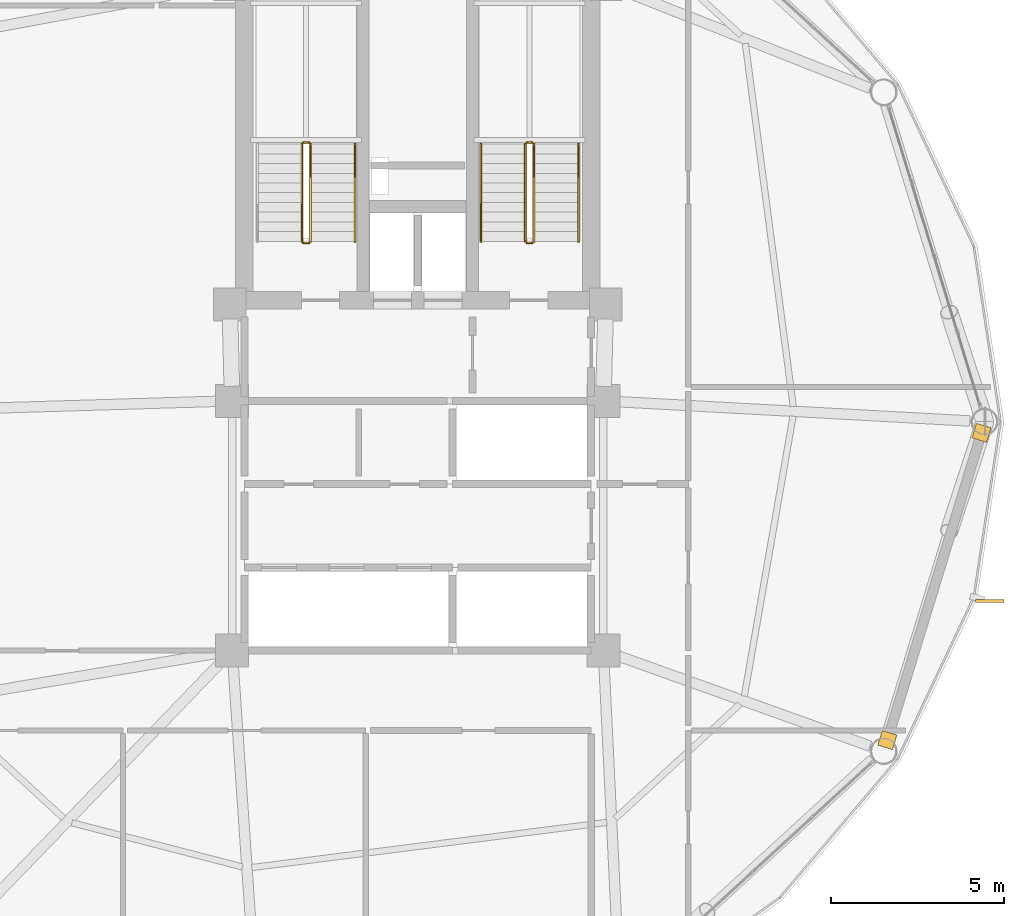
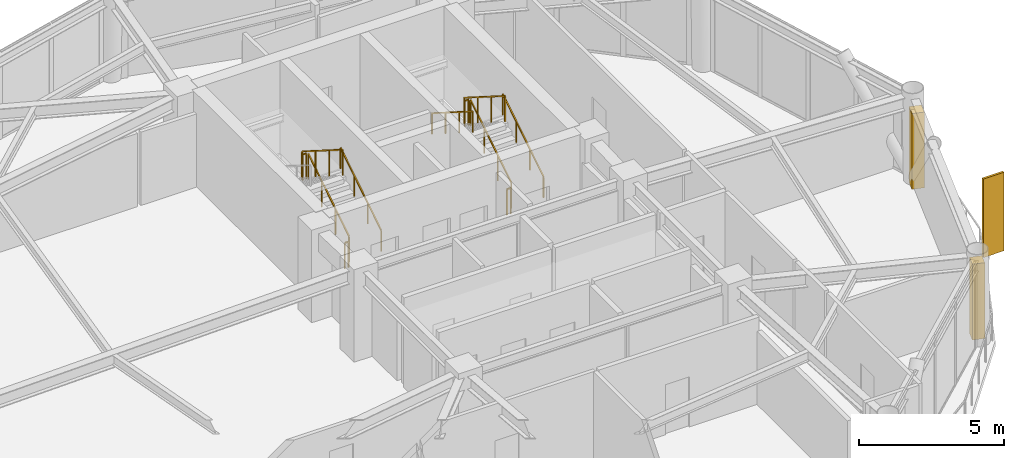
# One storey, part 24 of 25: 11 railings, 2 coverings, 1 shading device.
"""IFC4 building model written with IfcOpenShell, lengths in metres."""

from ifc_helpers import new_model, si_unit, direction, frame, origin, origin_2d, place, context, subcontext, project, spatial, rectangle, extrude, source, transform, mapped, material, layer, layer_set, type_object, type_shapes, element, save


model = new_model("IFC4")

# Units and contexts
model_context = context("Model", 3, precision=1e-05, world=origin(), true_north=direction((0.0, 1.0)))
body_context = subcontext(model_context, "Body", "Model", "MODEL_VIEW")
ifc_project = project(units=[si_unit("LENGTHUNIT", "METRE"), si_unit("AREAUNIT", "SQUARE_METRE"), si_unit("VOLUMEUNIT", "CUBIC_METRE"), si_unit("PLANEANGLEUNIT", "RADIAN"), si_unit("MASSUNIT", "GRAM", prefix="KILO")], contexts=[model_context])

# Site, building, storey
site_placement = place(None, origin())
site = spatial("IfcSite", under=ifc_project, at=site_placement, CompositionType="ELEMENT")
building_placement = place(site_placement, origin())
building = spatial("IfcBuilding", under=site, at=building_placement, Name="Varnakorn Sky Granary", CompositionType="ELEMENT")
storey_placement = place(building_placement, frame((0.0, 0.0, 146.10009765625)))
storey = spatial("IfcBuildingStorey", under=building, at=storey_placement, Name="L36", CompositionType="ELEMENT", Elevation=146.10009765625)

# Railings
ifc_material_1 = material(Name="Brushed Stainless Steel 316", Category="steel")
railing_type_1 = type_object("IfcRailingType", Name="RL-STAIR-1100", PredefinedType="GUARDRAIL", material=ifc_material_1)
railing_1_placement = place(storey_placement, frame((-0.090087890625, 5.199951171875, 0.17724609375)))
element("IfcRailing", 1, at=railing_1_placement, inside=storey, type_object=railing_type_1, Name="L36 ST-1 stair guard 1", PredefinedType="GUARDRAIL", context=body_context, shape_type="SweptSolid", body=[
    extrude(rectangle(XDim=0.048095703125, YDim=0.048095703125, at=origin_2d()), frame((0.0, 0.0, 1.076171875), z_axis=(0.0, 0.844908973607, 0.534910110503), x_axis=(-1.0, 0.0, 0.0)), (0.0, 0.0, 1.0), 3.31396484375),
    extrude(rectangle(XDim=0.0419921875, YDim=0.0419921875, at=origin_2d()), origin(), (0.0, 0.0, 1.0), 1.048095703125),
    extrude(rectangle(XDim=0.0419921875, YDim=0.0419921875, at=origin_2d()), frame((0.0, 0.933349609375, 0.5908203125)), (0.0, 0.0, 1.0), 1.048095703125),
    extrude(rectangle(XDim=0.0419921875, YDim=0.0419921875, at=origin_2d()), frame((0.0, 1.86669921875, 1.181884765625)), (0.0, 0.0, 1.0), 1.048095703125),
    extrude(rectangle(XDim=0.0419921875, YDim=0.0419921875, at=origin_2d()), frame((0.0, 2.800048828125, 1.772705078125)), (0.0, 0.0, 1.0), 1.048095703125),
])
railing_2_placement = place(storey_placement, frame((-0.139892578125, 8.050048828125, 1.949951171875)))
element("IfcRailing", 2, at=railing_2_placement, inside=storey, type_object=railing_type_1, Name="L36 ST-1 stair guard 2", PredefinedType="GUARDRAIL", context=body_context, shape_type="SweptSolid", body=[
    extrude(rectangle(XDim=0.048095703125, YDim=0.048095703125, at=origin_2d()), frame((0.0, 0.0, 1.076171875), z_axis=(-1.0, 0.0, 0.0), x_axis=(0.0, -1.0, 0.0)), (0.0, 0.0, 1.0), 0.150146484375),
    extrude(rectangle(XDim=0.0419921875, YDim=0.0419921875, at=origin_2d()), origin(), (0.0, 0.0, 1.0), 1.048095703125),
    extrude(rectangle(XDim=0.0419921875, YDim=0.0419921875, at=origin_2d()), frame((-0.150146484375, 0.0, 0.0)), (0.0, 0.0, 1.0), 1.048095703125),
])
railing_3_placement = place(storey_placement, frame((-0.340087890625, 8.0, 2.127197265625)))
element("IfcRailing", 3, at=railing_3_placement, inside=storey, type_object=railing_type_1, Name="L36 ST-1 stair guard 3", PredefinedType="GUARDRAIL", context=body_context, shape_type="SweptSolid", body=[
    extrude(rectangle(XDim=0.048095703125, YDim=0.048095703125, at=origin_2d()), frame((0.0, 0.0, 1.076171875), z_axis=(0.0, -0.844908973607, 0.534910110503), x_axis=(1.0, 0.0, 0.0)), (0.0, 0.0, 1.0), 3.31396484375),
    extrude(rectangle(XDim=0.0419921875, YDim=0.0419921875, at=origin_2d()), origin(), (0.0, 0.0, 1.0), 1.048095703125),
    extrude(rectangle(XDim=0.0419921875, YDim=0.0419921875, at=origin_2d()), frame((0.0, -0.933349609375, 0.5908203125)), (0.0, 0.0, 1.0), 1.048095703125),
    extrude(rectangle(XDim=0.0419921875, YDim=0.0419921875, at=origin_2d()), frame((0.0, -1.86669921875, 1.181884765625)), (0.0, 0.0, 1.0), 1.048095703125),
    extrude(rectangle(XDim=0.0419921875, YDim=0.0419921875, at=origin_2d()), frame((0.0, -2.800048828125, 1.772705078125)), (0.0, 0.0, 1.0), 1.048095703125),
])
railing_4_placement = place(storey_placement, frame((-0.139892578125, 5.14990234375, 0.0)))
element("IfcRailing", 4, at=railing_4_placement, inside=storey, type_object=railing_type_1, Name="L36 ST-1 stair guard 4", PredefinedType="GUARDRAIL", context=body_context, shape_type="SweptSolid", body=[
    extrude(rectangle(XDim=0.048095703125, YDim=0.048095703125, at=origin_2d()), frame((0.0, 0.0, 1.076171875), z_axis=(-1.0, 0.0, 0.0), x_axis=(0.0, -1.0, 0.0)), (0.0, 0.0, 1.0), 0.150146484375),
    extrude(rectangle(XDim=0.0419921875, YDim=0.0419921875, at=origin_2d()), origin(), (0.0, 0.0, 1.0), 1.048095703125),
    extrude(rectangle(XDim=0.0419921875, YDim=0.0419921875, at=origin_2d()), frame((-0.150146484375, 0.0, 0.0)), (0.0, 0.0, 1.0), 1.048095703125),
])
railing_5_placement = place(storey_placement, frame((6.35009765625, 5.199951171875, 0.17724609375)))
element("IfcRailing", 5, at=railing_5_placement, inside=storey, type_object=railing_type_1, Name="L36 ST-2 stair guard 1", PredefinedType="GUARDRAIL", context=body_context, shape_type="SweptSolid", body=[
    extrude(rectangle(XDim=0.048095703125, YDim=0.048095703125, at=origin_2d()), frame((0.0, 0.0, 1.076171875), z_axis=(0.0, 0.844908973607, 0.534910110503), x_axis=(-1.0, 0.0, 0.0)), (0.0, 0.0, 1.0), 3.31396484375),
    extrude(rectangle(XDim=0.0419921875, YDim=0.0419921875, at=origin_2d()), origin(), (0.0, 0.0, 1.0), 1.048095703125),
    extrude(rectangle(XDim=0.0419921875, YDim=0.0419921875, at=origin_2d()), frame((0.0, 0.933349609375, 0.5908203125)), (0.0, 0.0, 1.0), 1.048095703125),
    extrude(rectangle(XDim=0.0419921875, YDim=0.0419921875, at=origin_2d()), frame((0.0, 1.86669921875, 1.181884765625)), (0.0, 0.0, 1.0), 1.048095703125),
    extrude(rectangle(XDim=0.0419921875, YDim=0.0419921875, at=origin_2d()), frame((0.0, 2.800048828125, 1.772705078125)), (0.0, 0.0, 1.0), 1.048095703125),
])
railing_6_placement = place(storey_placement, frame((6.300048828125, 8.050048828125, 1.949951171875)))
element("IfcRailing", 6, at=railing_6_placement, inside=storey, type_object=railing_type_1, Name="L36 ST-2 stair guard 2", PredefinedType="GUARDRAIL", context=body_context, shape_type="SweptSolid", body=[
    extrude(rectangle(XDim=0.048095703125, YDim=0.048095703125, at=origin_2d()), frame((0.0, 0.0, 1.076171875), z_axis=(-1.0, 0.0, 0.0), x_axis=(0.0, -1.0, 0.0)), (0.0, 0.0, 1.0), 0.150146484375),
    extrude(rectangle(XDim=0.0419921875, YDim=0.0419921875, at=origin_2d()), origin(), (0.0, 0.0, 1.0), 1.048095703125),
    extrude(rectangle(XDim=0.0419921875, YDim=0.0419921875, at=origin_2d()), frame((-0.150146484375, 0.0, 0.0)), (0.0, 0.0, 1.0), 1.048095703125),
])
railing_7_placement = place(storey_placement, frame((6.10009765625, 8.0, 2.127197265625)))
element("IfcRailing", 7, at=railing_7_placement, inside=storey, type_object=railing_type_1, Name="L36 ST-2 stair guard 3", PredefinedType="GUARDRAIL", context=body_context, shape_type="SweptSolid", body=[
    extrude(rectangle(XDim=0.048095703125, YDim=0.048095703125, at=origin_2d()), frame((0.0, 0.0, 1.076171875), z_axis=(0.0, -0.844908973607, 0.534910110503), x_axis=(1.0, 0.0, 0.0)), (0.0, 0.0, 1.0), 3.31396484375),
    extrude(rectangle(XDim=0.0419921875, YDim=0.0419921875, at=origin_2d()), origin(), (0.0, 0.0, 1.0), 1.048095703125),
    extrude(rectangle(XDim=0.0419921875, YDim=0.0419921875, at=origin_2d()), frame((0.0, -0.933349609375, 0.5908203125)), (0.0, 0.0, 1.0), 1.048095703125),
    extrude(rectangle(XDim=0.0419921875, YDim=0.0419921875, at=origin_2d()), frame((0.0, -1.86669921875, 1.181884765625)), (0.0, 0.0, 1.0), 1.048095703125),
    extrude(rectangle(XDim=0.0419921875, YDim=0.0419921875, at=origin_2d()), frame((0.0, -2.800048828125, 1.772705078125)), (0.0, 0.0, 1.0), 1.048095703125),
])
railing_8_placement = place(storey_placement, frame((6.300048828125, 5.14990234375, 0.0)))
element("IfcRailing", 8, at=railing_8_placement, inside=storey, type_object=railing_type_1, Name="L36 ST-2 stair guard 4", PredefinedType="GUARDRAIL", context=body_context, shape_type="SweptSolid", body=[
    extrude(rectangle(XDim=0.048095703125, YDim=0.048095703125, at=origin_2d()), frame((0.0, 0.0, 1.076171875), z_axis=(-1.0, 0.0, 0.0), x_axis=(0.0, -1.0, 0.0)), (0.0, 0.0, 1.0), 0.150146484375),
    extrude(rectangle(XDim=0.0419921875, YDim=0.0419921875, at=origin_2d()), origin(), (0.0, 0.0, 1.0), 1.048095703125),
    extrude(rectangle(XDim=0.0419921875, YDim=0.0419921875, at=origin_2d()), frame((-0.150146484375, 0.0, 0.0)), (0.0, 0.0, 1.0), 1.048095703125),
])
railing_type_2 = type_object("IfcRailingType", Name="RL-STAIR-920", PredefinedType="HANDRAIL", material=ifc_material_1)
for number, where, name in (
    (9, (1.18994140625, 5.199951171875, 0.17724609375), "L36 ST-1 stair handrail 1"),
    (10, (7.6298828125, 5.199951171875, 0.17724609375), "L36 ST-2 stair handrail 1"),
):
    element("IfcRailing", number, at=place(storey_placement, frame(where)), inside=storey, type_object=railing_type_2, Name=name, PredefinedType="HANDRAIL", context=body_context, shape_type="SweptSolid", body=[
        extrude(rectangle(XDim=0.048095703125, YDim=0.048095703125, at=origin_2d()), frame((0.0, 0.0, 0.8759765625), z_axis=(0.0, 0.844908973607, 0.534910110503), x_axis=(-1.0, 0.0, 0.0)), (0.0, 0.0, 1.0), 3.31396484375),
        extrude(rectangle(XDim=0.0419921875, YDim=0.0419921875, at=origin_2d()), origin(), (0.0, 0.0, 1.0), 0.847900390625),
        extrude(rectangle(XDim=0.0419921875, YDim=0.0419921875, at=origin_2d()), frame((0.0, 0.933349609375, 0.5908203125)), (0.0, 0.0, 1.0), 0.847900390625),
        extrude(rectangle(XDim=0.0419921875, YDim=0.0419921875, at=origin_2d()), frame((0.0, 1.86669921875, 1.181884765625)), (0.0, 0.0, 1.0), 0.847900390625),
        extrude(rectangle(XDim=0.0419921875, YDim=0.0419921875, at=origin_2d()), frame((0.0, 2.800048828125, 1.772705078125)), (0.0, 0.0, 1.0), 0.847900390625),
    ])
railing_9_placement = place(storey_placement, frame((4.820068359375, 8.0, 2.127197265625)))
element("IfcRailing", 11, at=railing_9_placement, inside=storey, type_object=railing_type_2, Name="L36 ST-2 stair handrail 2", PredefinedType="HANDRAIL", context=body_context, shape_type="SweptSolid", body=[
    extrude(rectangle(XDim=0.048095703125, YDim=0.048095703125, at=origin_2d()), frame((0.0, 0.0, 0.8759765625), z_axis=(0.0, -0.844908973607, 0.534910110503), x_axis=(1.0, 0.0, 0.0)), (0.0, 0.0, 1.0), 3.31396484375),
    extrude(rectangle(XDim=0.0419921875, YDim=0.0419921875, at=origin_2d()), origin(), (0.0, 0.0, 1.0), 0.847900390625),
    extrude(rectangle(XDim=0.0419921875, YDim=0.0419921875, at=origin_2d()), frame((0.0, -0.933349609375, 0.5908203125)), (0.0, 0.0, 1.0), 0.847900390625),
    extrude(rectangle(XDim=0.0419921875, YDim=0.0419921875, at=origin_2d()), frame((0.0, -1.86669921875, 1.181884765625)), (0.0, 0.0, 1.0), 0.847900390625),
    extrude(rectangle(XDim=0.0419921875, YDim=0.0419921875, at=origin_2d()), frame((0.0, -2.800048828125, 1.772705078125)), (0.0, 0.0, 1.0), 0.847900390625),
])

# Shading device
ifc_material_2 = material(Name="Anodised Bronze Aluminium Alloy 6063-T6", Category="aluminium")
shading_device_type = type_object("IfcShadingDeviceType", Name="SH-FIN-02", PredefinedType="USERDEFINED", material=ifc_material_2)
shared_shape_1 = source(origin(), body_context, "Body", "SweptSolid", [
    extrude(rectangle(XDim=0.0849609375, YDim=0.820068359375, at=origin_2d()), origin(), (0.0, 0.0, 1.0), 3.300048828125),
])
type_shapes(shading_device_type, [shared_shape_1])
shading_device_placement = place(storey_placement, frame((19.4873046875, -5.169677734375, -0.0400390625), z_axis=(0.0, 0.0, 1.0), x_axis=(-0.005790557729, 0.99998323458, 0.0)))
element("IfcShadingDevice", 12, at=shading_device_placement, inside=storey, type_object=shading_device_type, Name="Bronze Solar-Tracking Vertical Blade FIN L36-12", ObjectType="FIN", PredefinedType="USERDEFINED", context=body_context, shape_type="MappedRepresentation", body=[
    mapped(shared_shape_1, transform((0.0, 0.0, 0.0), x_axis=(1.0, 0.0, 0.0), y_axis=(0.0, 1.0, 0.0), z_axis=(0.0, 0.0, 1.0), scale=1.0)),
])

# Coverings
ifc_layer = layer(ifc_material_2, 0.050048828125, Name="Anodised Bronze Aluminium Alloy 6063-T6")
ifc_layer_set = layer_set([ifc_layer], Name="Anodised Bronze Aluminium Alloy 6063-T6")
covering_type = type_object("IfcCoveringType", Name="CV-CLAD-50", PredefinedType="CLADDING", material=ifc_layer_set)
shared_shape_2 = source(origin(), body_context, "Body", "SweptSolid", [
    extrude(rectangle(XDim=0.43994140625, YDim=0.43994140625, at=origin_2d()), origin(), (0.0, 0.0, 1.0), 3.179931640625),
])
type_shapes(covering_type, [shared_shape_2])
for number, where, z_axis, x_axis, name in (
    (13, (19.251708984375, -0.3212890625, -0.02001953125), (0.0, 0.0, 1.0), (-0.292872384621, -0.956151539415, 0.0), "Bronze Corner Pilaster Closure L36-P12-A"),
    (14, (16.5380859375, -9.17919921875, -0.02001953125), (0.0, 0.0, 1.0), (-0.292872384621, -0.956151539415, 0.0), "Bronze Corner Pilaster Closure L36-P12-B"),
):
    element("IfcCovering", number, at=place(storey_placement, frame(where, z_axis=z_axis, x_axis=x_axis)), inside=storey, type_object=covering_type, Name=name, PredefinedType="CLADDING", context=body_context, shape_type="MappedRepresentation", body=[
        mapped(shared_shape_2, transform((0.0, 0.0, 0.0), x_axis=(1.0, 0.0, 0.0), y_axis=(0.0, 1.0, 0.0), z_axis=(0.0, 0.0, 1.0), scale=1.0)),
    ])

save(model, "model.ifc")
